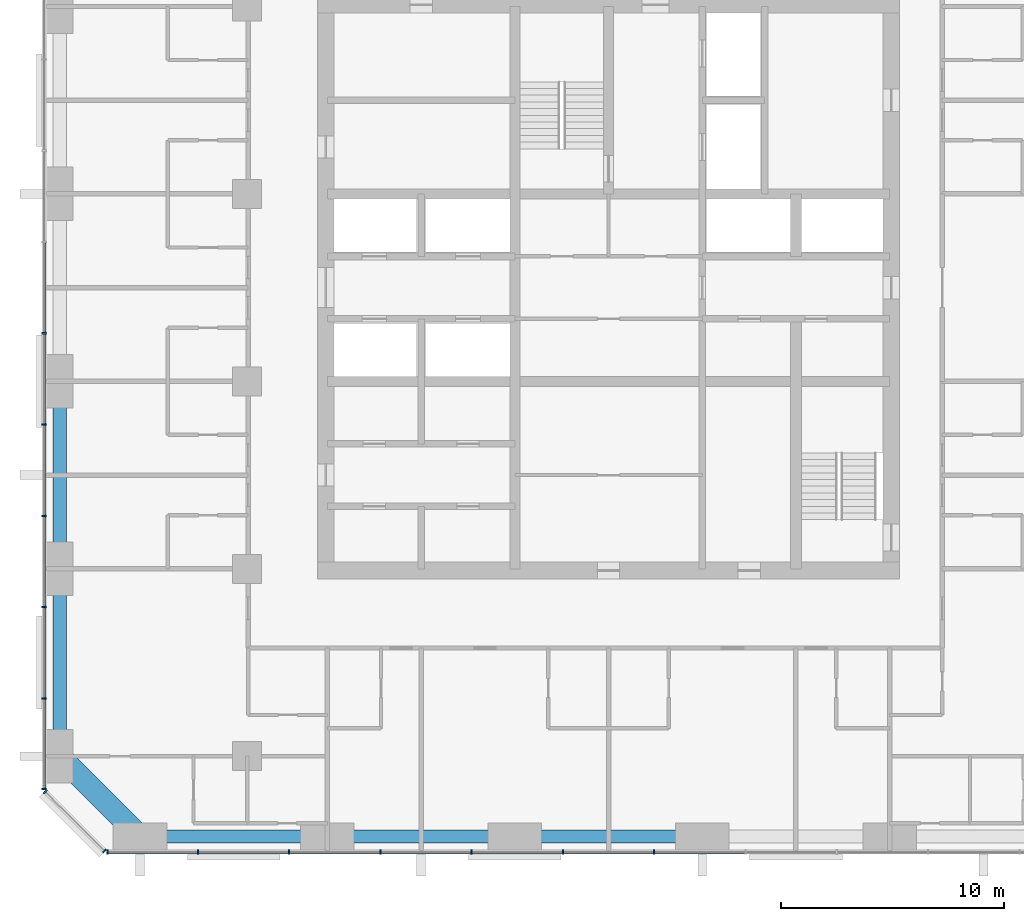
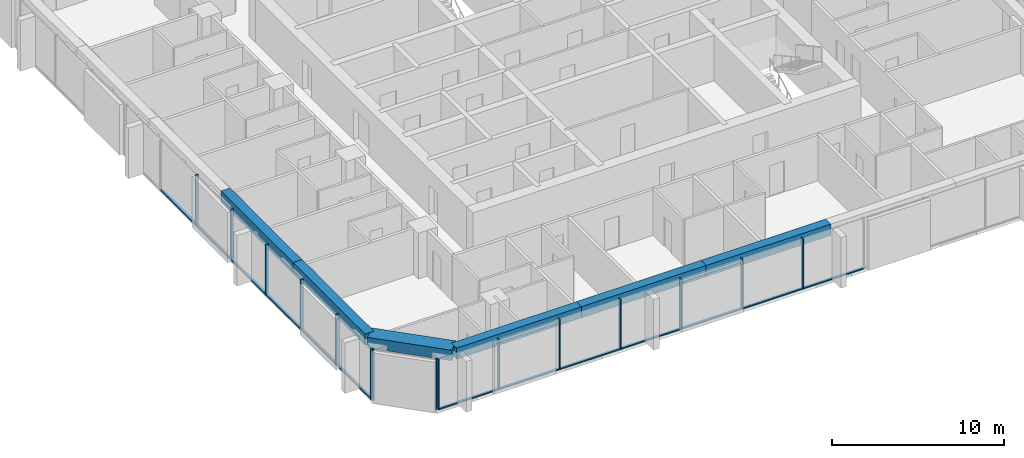
# One storey, part 2 of 13: 28 members, 6 beams, 3 elements without a shape of their own.
"""IFC4 building model written with IfcOpenShell, lengths in metres."""

from ifc_helpers import new_model, si_unit, direction, frame, origin, origin_2d, place, context, subcontext, project, spatial, rectangle, extrude, material, material_profile, profile_set, type_object, element, aggregate, save


model = new_model("IFC4")

# Units and contexts
model_context = context("Model", 3, precision=1e-05, world=origin(), true_north=direction((0.0, 1.0)))
body_context = subcontext(model_context, "Body", "Model", "MODEL_VIEW")
ifc_project = project(units=[si_unit("LENGTHUNIT", "METRE"), si_unit("AREAUNIT", "SQUARE_METRE"), si_unit("VOLUMEUNIT", "CUBIC_METRE"), si_unit("PLANEANGLEUNIT", "RADIAN"), si_unit("MASSUNIT", "GRAM", prefix="KILO")], contexts=[model_context])

# Site, building, storey
site_placement = place(None, origin())
site = spatial("IfcSite", under=ifc_project, at=site_placement, CompositionType="ELEMENT")
building_placement = place(site_placement, origin())
building = spatial("IfcBuilding", under=site, at=building_placement, Name="Dunama Terrace Hotel", CompositionType="ELEMENT")
storey_placement = place(building_placement, frame((0.0, 0.0, 169.800048828125)))
storey = spatial("IfcBuildingStorey", under=building, at=storey_placement, Name="L43", CompositionType="ELEMENT", Elevation=169.800048828125)

# Curtain wall, members
ifc_material_1 = material(Name="Aluminium curtain wall system", Category="aluminium")
curtain_wall_type = type_object("IfcCurtainWallType", Name="Unitised fritted glass wall CW-C", PredefinedType="NOTDEFINED", material=ifc_material_1)
curtain_wall_1_placement = place(storey_placement, origin())
curtain_wall_1 = element("IfcCurtainWall", 1, at=curtain_wall_1_placement, inside=storey, type_object=curtain_wall_type, Name="Unitised fritted glass wall CW-C L43", PredefinedType="NOTDEFINED")
ifc_material_2 = material(Name="Aluminium mullion", Category="aluminium")
ifc_material_profile_1 = material_profile(ifc_material_2, rectangle(XDim=0.070068359375, YDim=0.199951171875, at=origin_2d()), Name="CWC MULLION 70X200")
ifc_profile_set_1 = profile_set([ifc_material_profile_1], Name="Aluminium mullion")
member_type_1 = type_object("IfcMemberType", Name="CWC mullion 70x200", PredefinedType="MULLION", material=ifc_profile_set_1)
member_1_placement = place(storey_placement, frame((6.93505859375, 4.10009765625, 0.0), z_axis=(0.0, 0.0, 1.0), x_axis=(1.0, 0.0, 0.0)))
member_1 = element("IfcMember", 2, at=member_1_placement, type_object=member_type_1, Name="CWC mullion", PredefinedType="MULLION", context=body_context, shape_type="SweptSolid", body=[
    extrude(rectangle(XDim=0.070068359375, YDim=0.199951171875, at=origin_2d()), origin(), (0.0, 0.0, 1.0), 3.599853515625),
])
member_2_placement = place(storey_placement, frame((10.990966796875, 4.10009765625, 0.0), z_axis=(0.0, 0.0, 1.0), x_axis=(1.0, 0.0, 0.0)))
member_2 = element("IfcMember", 3, at=member_2_placement, type_object=member_type_1, Name="CWC mullion", PredefinedType="MULLION", context=body_context, shape_type="SweptSolid", body=[
    extrude(rectangle(XDim=0.070068359375, YDim=0.199951171875, at=origin_2d()), origin(), (0.0, 0.0, 1.0), 3.599853515625),
])
member_3_placement = place(storey_placement, frame((15.08203125, 4.10009765625, 0.0), z_axis=(0.0, 0.0, 1.0), x_axis=(1.0, 0.0, 0.0)))
member_3 = element("IfcMember", 4, at=member_3_placement, type_object=member_type_1, Name="CWC mullion", PredefinedType="MULLION", context=body_context, shape_type="SweptSolid", body=[
    extrude(rectangle(XDim=0.070068359375, YDim=0.199951171875, at=origin_2d()), origin(), (0.0, 0.0, 1.0), 3.599853515625),
])
member_4_placement = place(storey_placement, frame((19.173095703125, 4.10009765625, 0.0), z_axis=(0.0, 0.0, 1.0), x_axis=(1.0, 0.0, 0.0)))
member_4 = element("IfcMember", 5, at=member_4_placement, type_object=member_type_1, Name="CWC mullion", PredefinedType="MULLION", context=body_context, shape_type="SweptSolid", body=[
    extrude(rectangle(XDim=0.070068359375, YDim=0.199951171875, at=origin_2d()), origin(), (0.0, 0.0, 1.0), 3.599853515625),
])
member_5_placement = place(storey_placement, frame((23.263916015625, 4.10009765625, 0.0), z_axis=(0.0, 0.0, 1.0), x_axis=(1.0, 0.0, 0.0)))
member_5 = element("IfcMember", 6, at=member_5_placement, type_object=member_type_1, Name="CWC mullion", PredefinedType="MULLION", context=body_context, shape_type="SweptSolid", body=[
    extrude(rectangle(XDim=0.070068359375, YDim=0.199951171875, at=origin_2d()), origin(), (0.0, 0.0, 1.0), 3.599853515625),
])
member_6_placement = place(storey_placement, frame((27.35498046875, 4.10009765625, 0.0), z_axis=(0.0, 0.0, 1.0), x_axis=(1.0, 0.0, 0.0)))
member_6 = element("IfcMember", 7, at=member_6_placement, type_object=member_type_1, Name="CWC mullion", PredefinedType="MULLION", context=body_context, shape_type="SweptSolid", body=[
    extrude(rectangle(XDim=0.070068359375, YDim=0.199951171875, at=origin_2d()), origin(), (0.0, 0.0, 1.0), 3.599853515625),
])
member_7_placement = place(storey_placement, frame((31.445068359375, 4.10009765625, 0.0), z_axis=(0.0, 0.0, 1.0), x_axis=(1.0, 0.0, 0.0)))
member_7 = element("IfcMember", 8, at=member_7_placement, type_object=member_type_1, Name="CWC mullion", PredefinedType="MULLION", context=body_context, shape_type="SweptSolid", body=[
    extrude(rectangle(XDim=0.070068359375, YDim=0.199951171875, at=origin_2d()), origin(), (0.0, 0.0, 1.0), 3.599853515625),
])

curtain_wall_2_placement = place(storey_placement, origin())
curtain_wall_2 = element("IfcCurtainWall", 9, at=curtain_wall_2_placement, inside=storey, type_object=curtain_wall_type, Name="Unitised fritted glass wall CW-C L43", PredefinedType="NOTDEFINED")
member_8_placement = place(storey_placement, frame((4.10009765625, 27.35498046875, 0.0), z_axis=(0.0, 0.0, 1.0), x_axis=(0.0, -1.0, 0.0)))
member_8 = element("IfcMember", 10, at=member_8_placement, type_object=member_type_1, Name="CWC mullion", PredefinedType="MULLION", context=body_context, shape_type="SweptSolid", body=[
    extrude(rectangle(XDim=0.070068359375, YDim=0.199951171875, at=origin_2d()), origin(), (0.0, 0.0, 1.0), 3.599853515625),
])
member_9_placement = place(storey_placement, frame((4.10009765625, 23.263916015625, 0.0), z_axis=(0.0, 0.0, 1.0), x_axis=(0.0, -1.0, 0.0)))
member_9 = element("IfcMember", 11, at=member_9_placement, type_object=member_type_1, Name="CWC mullion", PredefinedType="MULLION", context=body_context, shape_type="SweptSolid", body=[
    extrude(rectangle(XDim=0.070068359375, YDim=0.199951171875, at=origin_2d()), origin(), (0.0, 0.0, 1.0), 3.599853515625),
])
member_10_placement = place(storey_placement, frame((4.10009765625, 19.173095703125, 0.0), z_axis=(0.0, 0.0, 1.0), x_axis=(0.0, -1.0, 0.0)))
member_10 = element("IfcMember", 12, at=member_10_placement, type_object=member_type_1, Name="CWC mullion", PredefinedType="MULLION", context=body_context, shape_type="SweptSolid", body=[
    extrude(rectangle(XDim=0.070068359375, YDim=0.199951171875, at=origin_2d()), origin(), (0.0, 0.0, 1.0), 3.599853515625),
])
member_11_placement = place(storey_placement, frame((4.10009765625, 15.08203125, 0.0), z_axis=(0.0, 0.0, 1.0), x_axis=(0.0, -1.0, 0.0)))
member_11 = element("IfcMember", 13, at=member_11_placement, type_object=member_type_1, Name="CWC mullion", PredefinedType="MULLION", context=body_context, shape_type="SweptSolid", body=[
    extrude(rectangle(XDim=0.070068359375, YDim=0.199951171875, at=origin_2d()), origin(), (0.0, 0.0, 1.0), 3.599853515625),
])
member_12_placement = place(storey_placement, frame((4.10009765625, 10.990966796875, 0.0), z_axis=(0.0, 0.0, 1.0), x_axis=(0.0, -1.0, 0.0)))
member_12 = element("IfcMember", 14, at=member_12_placement, type_object=member_type_1, Name="CWC mullion", PredefinedType="MULLION", context=body_context, shape_type="SweptSolid", body=[
    extrude(rectangle(XDim=0.070068359375, YDim=0.199951171875, at=origin_2d()), origin(), (0.0, 0.0, 1.0), 3.599853515625),
])
member_13_placement = place(storey_placement, frame((4.10009765625, 6.93505859375, 0.0), z_axis=(0.0, 0.0, 1.0), x_axis=(0.0, -1.0, 0.0)))
member_13 = element("IfcMember", 15, at=member_13_placement, type_object=member_type_1, Name="CWC mullion", PredefinedType="MULLION", context=body_context, shape_type="SweptSolid", body=[
    extrude(rectangle(XDim=0.070068359375, YDim=0.199951171875, at=origin_2d()), origin(), (0.0, 0.0, 1.0), 3.599853515625),
])

curtain_wall_3_placement = place(storey_placement, origin())
curtain_wall_3 = element("IfcCurtainWall", 16, at=curtain_wall_3_placement, inside=storey, type_object=curtain_wall_type, Name="Unitised fritted glass wall CW-C L43", PredefinedType="NOTDEFINED")
member_14_placement = place(storey_placement, frame((4.154052734375, 6.804931640625, 0.0), z_axis=(0.0, 0.0, 1.0), x_axis=(0.707106781187, -0.707106781187, 0.0)))
member_14 = element("IfcMember", 17, at=member_14_placement, type_object=member_type_1, Name="CWC mullion", PredefinedType="MULLION", context=body_context, shape_type="SweptSolid", body=[
    extrude(rectangle(XDim=0.070068359375, YDim=0.199951171875, at=origin_2d()), origin(), (0.0, 0.0, 1.0), 3.599853515625),
])
member_15_placement = place(storey_placement, frame((6.804931640625, 4.154052734375, 0.0), z_axis=(0.0, 0.0, 1.0), x_axis=(0.707106781187, -0.707106781187, 0.0)))
member_15 = element("IfcMember", 18, at=member_15_placement, type_object=member_type_1, Name="CWC mullion", PredefinedType="MULLION", context=body_context, shape_type="SweptSolid", body=[
    extrude(rectangle(XDim=0.070068359375, YDim=0.199951171875, at=origin_2d()), origin(), (0.0, 0.0, 1.0), 3.599853515625),
])
aggregate(curtain_wall_3, [member_14, member_15])

# Member
ifc_material_3 = material(Name="Aluminium transom", Category="aluminium")
ifc_material_profile_2 = material_profile(ifc_material_3, rectangle(XDim=0.159912109375, YDim=0.080078125, at=origin_2d()), Name="CWC TRANSOM 160X80")
ifc_profile_set_2 = profile_set([ifc_material_profile_2], Name="Aluminium transom")
member_type_2 = type_object("IfcMemberType", Name="CWC transom 160x80", PredefinedType="USERDEFINED", material=ifc_profile_set_2)
member_16_placement = place(storey_placement, frame((6.969970703125, 4.10009765625, 0.0400390625), z_axis=(1.0, 0.0, 0.0), x_axis=(0.0, 1.0, 0.0)))
member_16 = element("IfcMember", 19, at=member_16_placement, type_object=member_type_2, Name="CWC transom", ObjectType="TRANSOM", PredefinedType="USERDEFINED", context=body_context, shape_type="SweptSolid", body=[
    extrude(rectangle(XDim=0.159912109375, YDim=0.080078125, at=origin_2d()), origin(), (0.0, 0.0, 1.0), 3.986083984375),
])

member_17_placement = place(storey_placement, frame((11.02587890625, 4.10009765625, 0.0400390625), z_axis=(1.0, 0.0, 0.0), x_axis=(0.0, 1.0, 0.0)))
member_17 = element("IfcMember", 20, at=member_17_placement, type_object=member_type_2, Name="CWC transom", ObjectType="TRANSOM", PredefinedType="USERDEFINED", context=body_context, shape_type="SweptSolid", body=[
    extrude(rectangle(XDim=0.159912109375, YDim=0.080078125, at=origin_2d()), origin(), (0.0, 0.0, 1.0), 4.021240234375),
])

member_18_placement = place(storey_placement, frame((15.116943359375, 4.10009765625, 0.0400390625), z_axis=(1.0, 0.0, 0.0), x_axis=(0.0, 1.0, 0.0)))
member_18 = element("IfcMember", 21, at=member_18_placement, type_object=member_type_2, Name="CWC transom", ObjectType="TRANSOM", PredefinedType="USERDEFINED", context=body_context, shape_type="SweptSolid", body=[
    extrude(rectangle(XDim=0.159912109375, YDim=0.080078125, at=origin_2d()), origin(), (0.0, 0.0, 1.0), 4.02099609375),
])

member_19_placement = place(storey_placement, frame((19.2080078125, 4.10009765625, 0.0400390625), z_axis=(1.0, 0.0, 0.0), x_axis=(0.0, 1.0, 0.0)))
member_19 = element("IfcMember", 22, at=member_19_placement, type_object=member_type_2, Name="CWC transom", ObjectType="TRANSOM", PredefinedType="USERDEFINED", context=body_context, shape_type="SweptSolid", body=[
    extrude(rectangle(XDim=0.159912109375, YDim=0.080078125, at=origin_2d()), origin(), (0.0, 0.0, 1.0), 4.02099609375),
])

member_20_placement = place(storey_placement, frame((23.299072265625, 4.10009765625, 0.0400390625), z_axis=(1.0, 0.0, 0.0), x_axis=(0.0, 1.0, 0.0)))
member_20 = element("IfcMember", 23, at=member_20_placement, type_object=member_type_2, Name="CWC transom", ObjectType="TRANSOM", PredefinedType="USERDEFINED", context=body_context, shape_type="SweptSolid", body=[
    extrude(rectangle(XDim=0.159912109375, YDim=0.080078125, at=origin_2d()), origin(), (0.0, 0.0, 1.0), 4.02099609375),
])

member_21_placement = place(storey_placement, frame((27.389892578125, 4.10009765625, 0.0400390625), z_axis=(1.0, 0.0, 0.0), x_axis=(0.0, 1.0, 0.0)))
member_21 = element("IfcMember", 24, at=member_21_placement, type_object=member_type_2, Name="CWC transom", ObjectType="TRANSOM", PredefinedType="USERDEFINED", context=body_context, shape_type="SweptSolid", body=[
    extrude(rectangle(XDim=0.159912109375, YDim=0.080078125, at=origin_2d()), origin(), (0.0, 0.0, 1.0), 4.02001953125),
])

member_22_placement = place(storey_placement, frame((31.47998046875, 4.10009765625, 0.0400390625), z_axis=(1.0, 0.0, 0.0), x_axis=(0.0, 1.0, 0.0)))
member_22 = element("IfcMember", 25, at=member_22_placement, type_object=member_type_2, Name="CWC transom", ObjectType="TRANSOM", PredefinedType="USERDEFINED", context=body_context, shape_type="SweptSolid", body=[
    extrude(rectangle(XDim=0.159912109375, YDim=0.080078125, at=origin_2d()), origin(), (0.0, 0.0, 1.0), 4.02099609375),
])

aggregate(curtain_wall_1, [member_1, member_2, member_3, member_4, member_5, member_6, member_7, member_16, member_17, member_18, member_19, member_20, member_21, member_22])

member_23_placement = place(storey_placement, frame((4.10009765625, 31.409912109375, 0.0400390625), z_axis=(0.0, -1.0, 0.0), x_axis=(1.0, 0.0, 0.0)))
member_23 = element("IfcMember", 26, at=member_23_placement, type_object=member_type_2, Name="CWC transom", ObjectType="TRANSOM", PredefinedType="USERDEFINED", context=body_context, shape_type="SweptSolid", body=[
    extrude(rectangle(XDim=0.159912109375, YDim=0.080078125, at=origin_2d()), origin(), (0.0, 0.0, 1.0), 4.02001953125),
])

member_24_placement = place(storey_placement, frame((4.10009765625, 27.320068359375, 0.0400390625), z_axis=(0.0, -1.0, 0.0), x_axis=(1.0, 0.0, 0.0)))
member_24 = element("IfcMember", 27, at=member_24_placement, type_object=member_type_2, Name="CWC transom", ObjectType="TRANSOM", PredefinedType="USERDEFINED", context=body_context, shape_type="SweptSolid", body=[
    extrude(rectangle(XDim=0.159912109375, YDim=0.080078125, at=origin_2d()), origin(), (0.0, 0.0, 1.0), 4.02099609375),
])

member_25_placement = place(storey_placement, frame((4.10009765625, 23.22900390625, 0.0400390625), z_axis=(0.0, -1.0, 0.0), x_axis=(1.0, 0.0, 0.0)))
member_25 = element("IfcMember", 28, at=member_25_placement, type_object=member_type_2, Name="CWC transom", ObjectType="TRANSOM", PredefinedType="USERDEFINED", context=body_context, shape_type="SweptSolid", body=[
    extrude(rectangle(XDim=0.159912109375, YDim=0.080078125, at=origin_2d()), origin(), (0.0, 0.0, 1.0), 4.02099609375),
])

member_26_placement = place(storey_placement, frame((4.10009765625, 19.137939453125, 0.0400390625), z_axis=(0.0, -1.0, 0.0), x_axis=(1.0, 0.0, 0.0)))
member_26 = element("IfcMember", 29, at=member_26_placement, type_object=member_type_2, Name="CWC transom", ObjectType="TRANSOM", PredefinedType="USERDEFINED", context=body_context, shape_type="SweptSolid", body=[
    extrude(rectangle(XDim=0.159912109375, YDim=0.080078125, at=origin_2d()), origin(), (0.0, 0.0, 1.0), 4.02099609375),
])

member_27_placement = place(storey_placement, frame((4.10009765625, 15.047119140625, 0.0400390625), z_axis=(0.0, -1.0, 0.0), x_axis=(1.0, 0.0, 0.0)))
member_27 = element("IfcMember", 30, at=member_27_placement, type_object=member_type_2, Name="CWC transom", ObjectType="TRANSOM", PredefinedType="USERDEFINED", context=body_context, shape_type="SweptSolid", body=[
    extrude(rectangle(XDim=0.159912109375, YDim=0.080078125, at=origin_2d()), origin(), (0.0, 0.0, 1.0), 4.021240234375),
])

member_28_placement = place(storey_placement, frame((4.10009765625, 10.9560546875, 0.0400390625), z_axis=(0.0, -1.0, 0.0), x_axis=(1.0, 0.0, 0.0)))
member_28 = element("IfcMember", 31, at=member_28_placement, type_object=member_type_2, Name="CWC transom", ObjectType="TRANSOM", PredefinedType="USERDEFINED", context=body_context, shape_type="SweptSolid", body=[
    extrude(rectangle(XDim=0.159912109375, YDim=0.080078125, at=origin_2d()), origin(), (0.0, 0.0, 1.0), 3.986083984375),
])

aggregate(curtain_wall_2, [member_8, member_9, member_10, member_11, member_12, member_13, member_23, member_24, member_25, member_26, member_27, member_28])

# Beams
ifc_material_4 = material(Name="Concrete C50/60", Category="concrete")
ifc_material_profile_3 = material_profile(ifc_material_4, rectangle(XDim=1.0, YDim=0.75, at=origin_2d()), Name="RC 1000x750")
ifc_profile_set_3 = profile_set([ifc_material_profile_3], Name="Concrete C50/60")
beam_type_1 = type_object("IfcBeamType", Name="Edge beam RC 1000x750", PredefinedType="SPANDREL", material=ifc_profile_set_3)
beam_1_placement = place(storey_placement, frame((8.39990234375, 4.800048828125, 3.224853515625), z_axis=(-0.707106781187, 0.707106781187, 0.0), x_axis=(-0.707106781187, -0.707106781187, 0.0)))
element("IfcBeam", 32, at=beam_1_placement, inside=storey, type_object=beam_type_1, Name="Corner edge beam under L44", PredefinedType="SPANDREL", context=body_context, shape_type="SweptSolid", body=[
    extrude(rectangle(XDim=1.0, YDim=0.75, at=origin_2d()), origin(), (0.0, 0.0, 1.0), 5.091064453125),
])
ifc_material_5 = material(Name="Concrete C40/50", Category="concrete")
ifc_material_profile_4 = material_profile(ifc_material_5, rectangle(XDim=0.60009765625, YDim=0.800048828125, at=origin_2d()), Name="RC 600x800")
ifc_profile_set_4 = profile_set([ifc_material_profile_4], Name="Concrete C40/50")
beam_type_2 = type_object("IfcBeamType", Name="Edge beam RC 600x800", PredefinedType="SPANDREL", material=ifc_profile_set_4)
beam_2_placement = place(storey_placement, frame((4.800048828125, 8.39990234375, 3.199951171875), z_axis=(0.0, 1.0, 0.0), x_axis=(-1.0, 0.0, 0.0)))
element("IfcBeam", 33, at=beam_2_placement, inside=storey, type_object=beam_type_2, Name="Edge beam under L44", PredefinedType="SPANDREL", context=body_context, shape_type="SweptSolid", body=[
    extrude(rectangle(XDim=0.60009765625, YDim=0.800048828125, at=origin_2d()), origin(), (0.0, 0.0, 1.0), 8.400146484375),
])
beam_3_placement = place(storey_placement, frame((4.800048828125, 16.800048828125, 3.199951171875), z_axis=(0.0, 1.0, 0.0), x_axis=(-1.0, 0.0, 0.0)))
element("IfcBeam", 34, at=beam_3_placement, inside=storey, type_object=beam_type_2, Name="Edge beam under L44", PredefinedType="SPANDREL", context=body_context, shape_type="SweptSolid", body=[
    extrude(rectangle(XDim=0.60009765625, YDim=0.800048828125, at=origin_2d()), origin(), (0.0, 0.0, 1.0), 8.39990234375),
])
beam_4_placement = place(storey_placement, frame((8.39990234375, 4.800048828125, 3.199951171875), z_axis=(1.0, 0.0, 0.0), x_axis=(0.0, 1.0, 0.0)))
element("IfcBeam", 35, at=beam_4_placement, inside=storey, type_object=beam_type_2, Name="Edge beam under L44", PredefinedType="SPANDREL", context=body_context, shape_type="SweptSolid", body=[
    extrude(rectangle(XDim=0.60009765625, YDim=0.800048828125, at=origin_2d()), origin(), (0.0, 0.0, 1.0), 8.400146484375),
])
beam_5_placement = place(storey_placement, frame((16.800048828125, 4.800048828125, 3.199951171875), z_axis=(1.0, 0.0, 0.0), x_axis=(0.0, 1.0, 0.0)))
element("IfcBeam", 36, at=beam_5_placement, inside=storey, type_object=beam_type_2, Name="Edge beam under L44", PredefinedType="SPANDREL", context=body_context, shape_type="SweptSolid", body=[
    extrude(rectangle(XDim=0.60009765625, YDim=0.800048828125, at=origin_2d()), origin(), (0.0, 0.0, 1.0), 8.39990234375),
])
beam_6_placement = place(storey_placement, frame((25.199951171875, 4.800048828125, 3.199951171875), z_axis=(1.0, 0.0, 0.0), x_axis=(0.0, 1.0, 0.0)))
element("IfcBeam", 37, at=beam_6_placement, inside=storey, type_object=beam_type_2, Name="Edge beam under L44", PredefinedType="SPANDREL", context=body_context, shape_type="SweptSolid", body=[
    extrude(rectangle(XDim=0.60009765625, YDim=0.800048828125, at=origin_2d()), origin(), (0.0, 0.0, 1.0), 8.400146484375),
])

save(model, "model.ifc")
